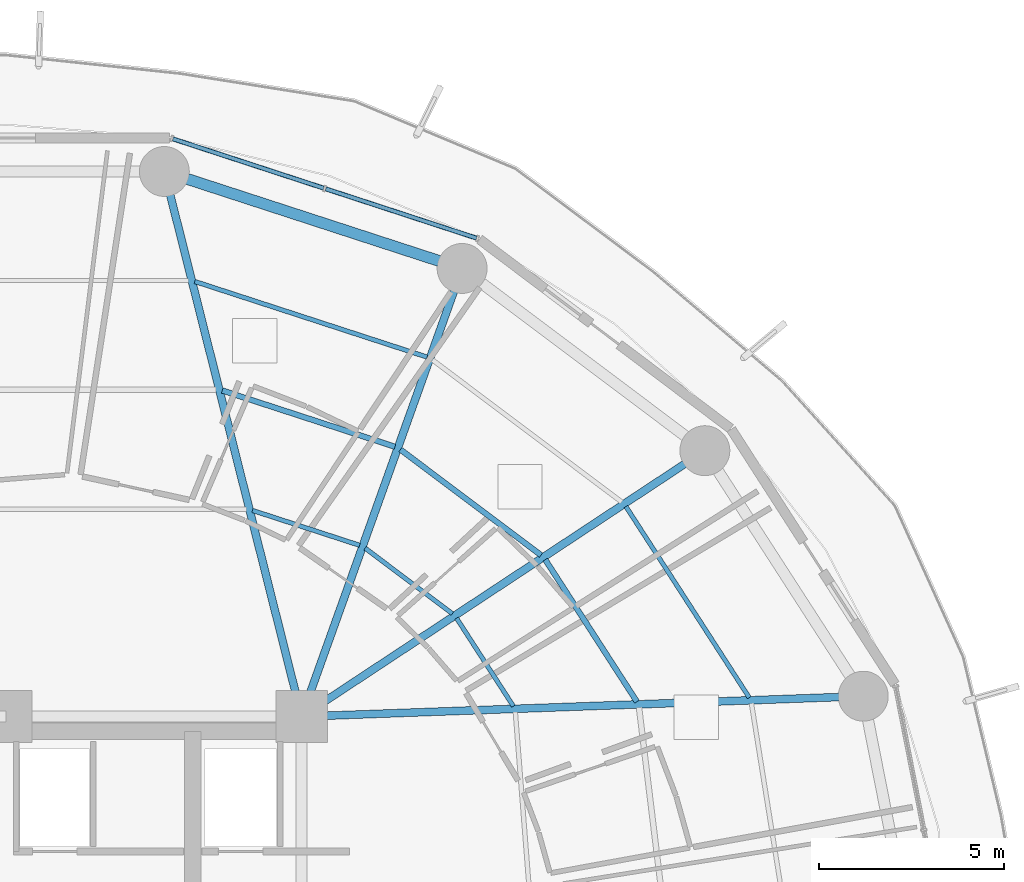
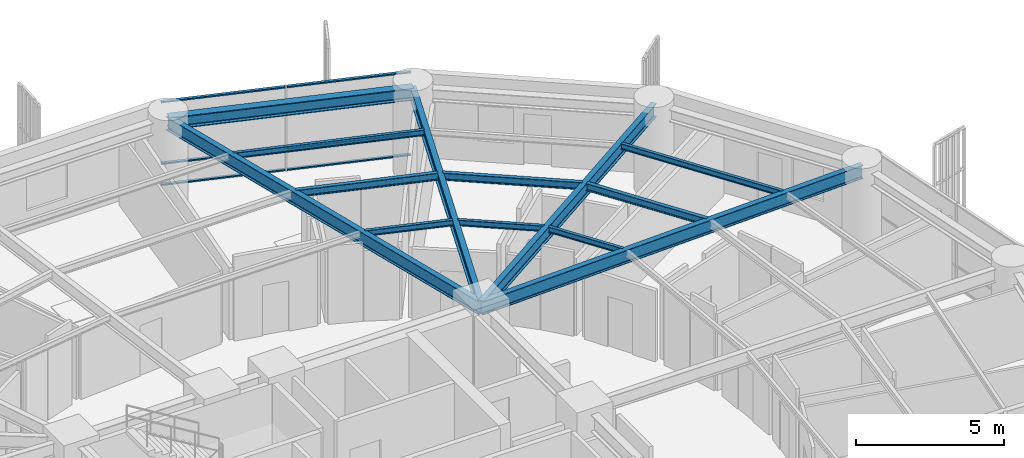
# One storey, part 21 of 34: 13 beams, 6 members, 1 element without a shape of its own.
"""IFC4 building model written with IfcOpenShell, lengths in metres."""

from ifc_helpers import new_model, si_unit, direction, frame, origin, origin_2d, place, context, subcontext, project, spatial, hollow_rectangle, i_section, extrude, material, layer, layer_set, material_profile, profile_set, type_object, element, aggregate, save


model = new_model("IFC4")

# Units and contexts
model_context = context("Model", 3, precision=1e-05, world=origin(), true_north=direction((0.0, 1.0)))
body_context = subcontext(model_context, "Body", "Model", "MODEL_VIEW")
ifc_project = project(units=[si_unit("LENGTHUNIT", "METRE"), si_unit("AREAUNIT", "SQUARE_METRE"), si_unit("VOLUMEUNIT", "CUBIC_METRE"), si_unit("PLANEANGLEUNIT", "RADIAN"), si_unit("MASSUNIT", "GRAM", prefix="KILO")], contexts=[model_context])

# Site, building, storey
site_placement = place(None, origin())
site = spatial("IfcSite", under=ifc_project, at=site_placement, CompositionType="ELEMENT")
building_placement = place(site_placement, origin())
building = spatial("IfcBuilding", under=site, at=building_placement, Name="Kelanora Arch Commons", CompositionType="ELEMENT")
storey_placement = place(building_placement, frame((0.0, 0.0, 76.35009765625)))
storey = spatial("IfcBuildingStorey", under=building, at=storey_placement, Name="L19", CompositionType="ELEMENT", Elevation=76.35009765625)

# Beams
ifc_material_1 = material(Name="Steel S355", Category="steel")
ifc_material_profile_1 = material_profile(ifc_material_1, i_section(OverallWidth=0.14990234375, OverallDepth=0.300048828125, WebThickness=0.007080078125, FlangeThickness=0.0107421875, FilletRadius=0.014892578125, at=origin_2d()), Name="IPE300")
ifc_profile_set_1 = profile_set([ifc_material_profile_1], Name="Steel S355")
beam_type_1 = type_object("IfcBeamType", Name="BM-JST-01", PredefinedType="JOIST", material=ifc_profile_set_1)
beam_1_placement = place(storey_placement, frame((91.06884765625, 65.402587890625, 3.33984375), z_axis=(-0.542230243286, 0.840229946661, 0.0), x_axis=(-0.840229946661, -0.542230243286, 0.0)))
element("IfcBeam", 1, at=beam_1_placement, inside=storey, type_object=beam_type_1, Name="Secondary Chord Joist BJB-02 L19", PredefinedType="JOIST", context=body_context, shape_type="SweptSolid", body=[
    extrude(i_section(OverallWidth=0.14990234375, OverallDepth=0.300048828125, WebThickness=0.007080078125, FlangeThickness=0.0107421875, FilletRadius=0.014892578125, at=origin_2d()), origin(), (0.0, 0.0, 1.0), 4.572265625),
])
beam_2_placement = place(storey_placement, frame((88.4755859375, 69.36669921875, 3.33984375), z_axis=(-0.79971039107, 0.600385951214, 0.0), x_axis=(-0.600385951214, -0.79971039107, 0.0)))
element("IfcBeam", 2, at=beam_2_placement, inside=storey, type_object=beam_type_1, Name="Secondary Chord Joist BJB-04 L19", PredefinedType="JOIST", context=body_context, shape_type="SweptSolid", body=[
    extrude(i_section(OverallWidth=0.14990234375, OverallDepth=0.300048828125, WebThickness=0.007080078125, FlangeThickness=0.0107421875, FilletRadius=0.014892578125, at=origin_2d()), origin(), (0.0, 0.0, 1.0), 4.756103515625),
])
beam_3_placement = place(storey_placement, frame((84.523193359375, 72.29931640625, 3.33984375), z_axis=(-0.950857140254, 0.309629938521, 0.0), x_axis=(-0.309629938521, -0.950857140254, 0.0)))
element("IfcBeam", 3, at=beam_3_placement, inside=storey, type_object=beam_type_1, Name="Secondary Chord Joist BJB-06 L19", PredefinedType="JOIST", context=body_context, shape_type="SweptSolid", body=[
    extrude(i_section(OverallWidth=0.14990234375, OverallDepth=0.300048828125, WebThickness=0.007080078125, FlangeThickness=0.0107421875, FilletRadius=0.014892578125, at=origin_2d()), origin(), (0.0, 0.0, 1.0), 4.912353515625),
])
ifc_material_profile_2 = material_profile(ifc_material_1, i_section(OverallWidth=0.1201171875, OverallDepth=0.239990234375, WebThickness=0.006103515625, FlangeThickness=0.009765625, FilletRadius=0.014892578125, at=origin_2d()), Name="IPE240")
ifc_profile_set_2 = profile_set([ifc_material_profile_2], Name="Steel S355")
beam_type_2 = type_object("IfcBeamType", Name="BM-JST-02", PredefinedType="JOIST", material=ifc_profile_set_2)
beam_4_placement = place(storey_placement, frame((87.726806640625, 65.281005859375, 3.369873046875), z_axis=(-0.542211255502, 0.840242199849, 0.0), x_axis=(-0.840242199849, -0.542211255502, 0.0)))
element("IfcBeam", 4, at=beam_4_placement, inside=storey, type_object=beam_type_2, Name="Secondary Chord Joist BJA-02 L19", PredefinedType="JOIST", context=body_context, shape_type="SweptSolid", body=[
    extrude(i_section(OverallWidth=0.1201171875, OverallDepth=0.239990234375, WebThickness=0.006103515625, FlangeThickness=0.009765625, FilletRadius=0.014892578125, at=origin_2d()), origin(), (0.0, 0.0, 1.0), 2.83349609375),
])
beam_5_placement = place(storey_placement, frame((94.107177734375, 65.512939453125, 3.369873046875), z_axis=(-0.542212726273, 0.840241250754, 0.0), x_axis=(-0.840241250754, -0.542212726273, 0.0)))
element("IfcBeam", 5, at=beam_5_placement, inside=storey, type_object=beam_type_2, Name="Secondary Chord Joist BJC-02 L19", PredefinedType="JOIST", context=body_context, shape_type="SweptSolid", body=[
    extrude(i_section(OverallWidth=0.1201171875, OverallDepth=0.239990234375, WebThickness=0.006103515625, FlangeThickness=0.009765625, FilletRadius=0.014892578125, at=origin_2d()), origin(), (0.0, 0.0, 1.0), 6.15283203125),
])
beam_6_placement = place(storey_placement, frame((86.076416015625, 67.7841796875, 3.369873046875), z_axis=(-0.799692034361, 0.600410401458, 0.0), x_axis=(-0.600410401458, -0.799692034361, 0.0)))
element("IfcBeam", 6, at=beam_6_placement, inside=storey, type_object=beam_type_2, Name="Secondary Chord Joist BJA-04 L19", PredefinedType="JOIST", context=body_context, shape_type="SweptSolid", body=[
    extrude(i_section(OverallWidth=0.1201171875, OverallDepth=0.239990234375, WebThickness=0.006103515625, FlangeThickness=0.009765625, FilletRadius=0.014892578125, at=origin_2d()), origin(), (0.0, 0.0, 1.0), 2.949951171875),
])
beam_7_placement = place(storey_placement, frame((83.568359375, 69.632568359375, 3.369873046875), z_axis=(-0.950846758946, 0.309661817151, 0.0), x_axis=(-0.309661817151, -0.950846758946, 0.0)))
element("IfcBeam", 7, at=beam_7_placement, inside=storey, type_object=beam_type_2, Name="Secondary Chord Joist BJA-06 L19", PredefinedType="JOIST", context=body_context, shape_type="SweptSolid", body=[
    extrude(i_section(OverallWidth=0.1201171875, OverallDepth=0.239990234375, WebThickness=0.006103515625, FlangeThickness=0.009765625, FilletRadius=0.014892578125, at=origin_2d()), origin(), (0.0, 0.0, 1.0), 3.048828125),
])
beam_8_placement = place(storey_placement, frame((85.39111328125, 74.723876953125, 3.369873046875), z_axis=(-0.950862829272, 0.309612467301, 0.0), x_axis=(-0.309612467301, -0.950862829272, 0.0)))
element("IfcBeam", 8, at=beam_8_placement, inside=storey, type_object=beam_type_2, Name="Secondary Chord Joist BJC-06 L19", PredefinedType="JOIST", context=body_context, shape_type="SweptSolid", body=[
    extrude(i_section(OverallWidth=0.1201171875, OverallDepth=0.239990234375, WebThickness=0.006103515625, FlangeThickness=0.009765625, FilletRadius=0.014892578125, at=origin_2d()), origin(), (0.0, 0.0, 1.0), 6.6064453125),
])
ifc_material_profile_3 = material_profile(ifc_material_1, i_section(OverallWidth=0.2099609375, OverallDepth=0.550048828125, WebThickness=0.010986328125, FlangeThickness=0.01708984375, FilletRadius=0.02392578125, at=origin_2d()), Name="IPE550")
ifc_profile_set_3 = profile_set([ifc_material_profile_3], Name="Steel S355")
beam_type_3 = type_object("IfcBeamType", Name="BM-RAD-Z2", PredefinedType="BEAM", material=ifc_profile_set_3)
beam_9_placement = place(storey_placement, frame((82.0, 65.0, 3.21484375), z_axis=(0.999341087625, 0.036295875581, 0.0), x_axis=(-0.036295875581, 0.999341087625, 0.0)))
element("IfcBeam", 9, at=beam_9_placement, inside=storey, type_object=beam_type_3, Name="Radial Floor Girder BR-02 L19", PredefinedType="BEAM", context=body_context, shape_type="SweptSolid", body=[
    extrude(i_section(OverallWidth=0.2099609375, OverallDepth=0.550048828125, WebThickness=0.010986328125, FlangeThickness=0.01708984375, FilletRadius=0.02392578125, at=origin_2d()), origin(), (0.0, 0.0, 1.0), 15.20166015625),
])
beam_10_placement = place(storey_placement, frame((82.0, 65.0, 3.21484375), z_axis=(0.834788577908, 0.550570640512, 0.0), x_axis=(-0.550570640512, 0.834788577908, 0.0)))
element("IfcBeam", 10, at=beam_10_placement, inside=storey, type_object=beam_type_3, Name="Radial Floor Girder BR-04 L19", PredefinedType="BEAM", context=body_context, shape_type="SweptSolid", body=[
    extrude(i_section(OverallWidth=0.2099609375, OverallDepth=0.550048828125, WebThickness=0.010986328125, FlangeThickness=0.01708984375, FilletRadius=0.02392578125, at=origin_2d()), origin(), (0.0, 0.0, 1.0), 13.064453125),
])
beam_11_placement = place(storey_placement, frame((82.0, 65.0, 3.21484375), z_axis=(0.337084640008, 0.941474346687, 0.0), x_axis=(-0.941474346687, 0.337084640008, 0.0)))
element("IfcBeam", 11, at=beam_11_placement, inside=storey, type_object=beam_type_3, Name="Radial Floor Girder BR-06 L19", PredefinedType="BEAM", context=body_context, shape_type="SweptSolid", body=[
    extrude(i_section(OverallWidth=0.2099609375, OverallDepth=0.550048828125, WebThickness=0.010986328125, FlangeThickness=0.01708984375, FilletRadius=0.02392578125, at=origin_2d()), origin(), (0.0, 0.0, 1.0), 12.875244140625),
])
beam_12_placement = place(storey_placement, frame((82.0, 65.0, 3.21484375), z_axis=(-0.244280647475, 0.969704576286, 0.0), x_axis=(-0.969704576286, -0.244280647475, 0.0)))
element("IfcBeam", 12, at=beam_12_placement, inside=storey, type_object=beam_type_3, Name="Radial Floor Girder BR-08 L19", PredefinedType="BEAM", context=body_context, shape_type="SweptSolid", body=[
    extrude(i_section(OverallWidth=0.2099609375, OverallDepth=0.550048828125, WebThickness=0.010986328125, FlangeThickness=0.01708984375, FilletRadius=0.02392578125, at=origin_2d()), origin(), (0.0, 0.0, 1.0), 15.205322265625),
])
ifc_material_profile_4 = material_profile(ifc_material_1, i_section(OverallWidth=0.300048828125, OverallDepth=0.5, WebThickness=0.014404296875, FlangeThickness=0.028076171875, FilletRadius=0.027099609375, at=origin_2d()), Name="HEB500")
ifc_profile_set_4 = profile_set([ifc_material_profile_4], Name="Steel S355")
beam_type_4 = type_object("IfcBeamType", Name="BM-SPN-Z2", PredefinedType="SPANDREL", material=ifc_profile_set_4)
beam_13_placement = place(storey_placement, frame((86.340087890625, 77.121826171875, 3.239990234375), z_axis=(-0.950856631974, 0.309631499418, 0.0), x_axis=(-0.309631499418, -0.950856631974, 0.0)))
element("IfcBeam", 13, at=beam_13_placement, inside=storey, type_object=beam_type_4, Name="Perimeter Spandrel Beam BS-06 L19", PredefinedType="SPANDREL", context=body_context, shape_type="SweptSolid", body=[
    extrude(i_section(OverallWidth=0.300048828125, OverallDepth=0.5, WebThickness=0.014404296875, FlangeThickness=0.028076171875, FilletRadius=0.027099609375, at=origin_2d()), origin(), (0.0, 0.0, 1.0), 8.470703125),
])

# Curtain wall, members
ifc_material_2 = material(Name="Terracotta ceramic-fritted low-E glass and aluminium", Category="masonry")
ifc_layer = layer(ifc_material_2, 0.159912109375)
ifc_layer_set = layer_set([ifc_layer], Name="Terracotta ceramic-fritted low-E glass and aluminium")
curtain_wall_type = type_object("IfcCurtainWallType", Name="CW-SYS-01", PredefinedType="NOTDEFINED", material=ifc_layer_set)
curtain_wall_placement = place(storey_placement, origin())
curtain_wall = element("IfcCurtainWall", 14, at=curtain_wall_placement, inside=storey, type_object=curtain_wall_type, Name="Unitised Curtain Wall L19-B03", PredefinedType="NOTDEFINED")
ifc_material_3 = material(Name="Powder-coated aluminium terracotta", Category="masonry")
ifc_material_profile_5 = material_profile(ifc_material_3, hollow_rectangle(XDim=0.1201171875, YDim=0.06005859375, WallThickness=0.0048828125, InnerFilletRadius=0.0048828125, OuterFilletRadius=0.010009765625, at=origin_2d()), Name="CWT120x60")
ifc_profile_set_5 = profile_set([ifc_material_profile_5], Name="Powder-coated aluminium terracotta")
member_type = type_object("IfcMemberType", Name="CWT-STD", PredefinedType="USERDEFINED", material=ifc_profile_set_5)
member_1_placement = place(storey_placement, frame((86.728759765625, 77.94189453125, 0.02978515625), z_axis=(-0.950466230394, 0.310827838008, 0.0), x_axis=(-0.310827838008, -0.950466230394, 0.0)))
member_1 = element("IfcMember", 15, at=member_1_placement, type_object=member_type, Name="CW-01 transom 1.1", ObjectType="TRANSOM", PredefinedType="USERDEFINED", context=body_context, shape_type="SweptSolid", body=[
    extrude(hollow_rectangle(XDim=0.1201171875, YDim=0.06005859375, WallThickness=0.0048828125, InnerFilletRadius=0.0048828125, OuterFilletRadius=0.010009765625, at=origin_2d()), origin(), (0.0, 0.0, 1.0), 4.2900390625),
])
member_2_placement = place(storey_placement, frame((86.728759765625, 77.94189453125, 0.89990234375), z_axis=(-0.950466230394, 0.310827838008, 0.0), x_axis=(-0.310827838008, -0.950466230394, 0.0)))
member_2 = element("IfcMember", 16, at=member_2_placement, type_object=member_type, Name="CW-01 transom 1.2", ObjectType="TRANSOM", PredefinedType="USERDEFINED", context=body_context, shape_type="SweptSolid", body=[
    extrude(hollow_rectangle(XDim=0.1201171875, YDim=0.06005859375, WallThickness=0.0048828125, InnerFilletRadius=0.0048828125, OuterFilletRadius=0.010009765625, at=origin_2d()), origin(), (0.0, 0.0, 1.0), 4.2900390625),
])
member_3_placement = place(storey_placement, frame((86.728759765625, 77.94189453125, 3.44482421875), z_axis=(-0.950466230394, 0.310827838008, 0.0), x_axis=(-0.310827838008, -0.950466230394, 0.0)))
member_3 = element("IfcMember", 17, at=member_3_placement, type_object=member_type, Name="CW-01 transom 1.3", ObjectType="TRANSOM", PredefinedType="USERDEFINED", context=body_context, shape_type="SweptSolid", body=[
    extrude(hollow_rectangle(XDim=0.1201171875, YDim=0.06005859375, WallThickness=0.0048828125, InnerFilletRadius=0.0048828125, OuterFilletRadius=0.010009765625, at=origin_2d()), origin(), (0.0, 0.0, 1.0), 4.2900390625),
])
member_4_placement = place(storey_placement, frame((82.59423828125, 79.2939453125, 0.02978515625), z_axis=(-0.950477544745, 0.31079323824, 0.0), x_axis=(-0.31079323824, -0.950477544745, 0.0)))
member_4 = element("IfcMember", 18, at=member_4_placement, type_object=member_type, Name="CW-01 transom 2.1", ObjectType="TRANSOM", PredefinedType="USERDEFINED", context=body_context, shape_type="SweptSolid", body=[
    extrude(hollow_rectangle(XDim=0.1201171875, YDim=0.06005859375, WallThickness=0.0048828125, InnerFilletRadius=0.0048828125, OuterFilletRadius=0.010009765625, at=origin_2d()), origin(), (0.0, 0.0, 1.0), 4.289794921875),
])
member_5_placement = place(storey_placement, frame((82.59423828125, 79.2939453125, 0.89990234375), z_axis=(-0.950477544745, 0.31079323824, 0.0), x_axis=(-0.31079323824, -0.950477544745, 0.0)))
member_5 = element("IfcMember", 19, at=member_5_placement, type_object=member_type, Name="CW-01 transom 2.2", ObjectType="TRANSOM", PredefinedType="USERDEFINED", context=body_context, shape_type="SweptSolid", body=[
    extrude(hollow_rectangle(XDim=0.1201171875, YDim=0.06005859375, WallThickness=0.0048828125, InnerFilletRadius=0.0048828125, OuterFilletRadius=0.010009765625, at=origin_2d()), origin(), (0.0, 0.0, 1.0), 4.289794921875),
])
member_6_placement = place(storey_placement, frame((82.59423828125, 79.2939453125, 3.44482421875), z_axis=(-0.950477544745, 0.31079323824, 0.0), x_axis=(-0.31079323824, -0.950477544745, 0.0)))
member_6 = element("IfcMember", 20, at=member_6_placement, type_object=member_type, Name="CW-01 transom 2.3", ObjectType="TRANSOM", PredefinedType="USERDEFINED", context=body_context, shape_type="SweptSolid", body=[
    extrude(hollow_rectangle(XDim=0.1201171875, YDim=0.06005859375, WallThickness=0.0048828125, InnerFilletRadius=0.0048828125, OuterFilletRadius=0.010009765625, at=origin_2d()), origin(), (0.0, 0.0, 1.0), 4.289794921875),
])
aggregate(curtain_wall, [member_1, member_2, member_3, member_4, member_5, member_6])

save(model, "model.ifc")
